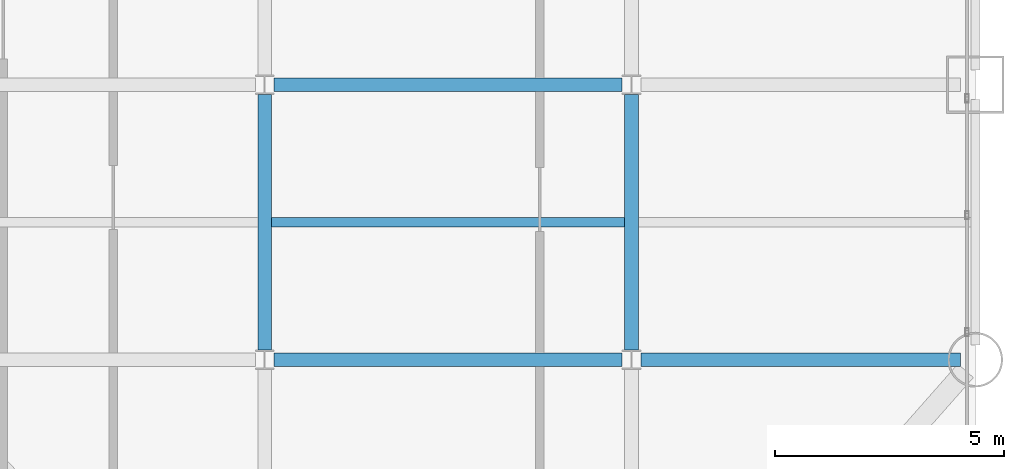
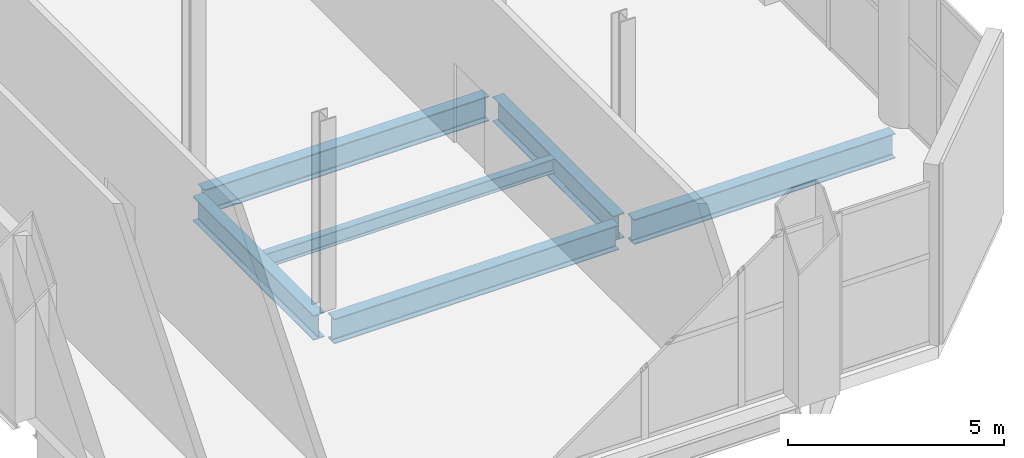
# One storey, part 9 of 26: 6 beams.
"""IFC4 building model written with IfcOpenShell, lengths in metres."""

from ifc_helpers import new_model, si_unit, direction, frame, origin, origin_2d, place, context, subcontext, project, spatial, i_section, extrude, material, material_profile, profile_set, type_object, element, save


model = new_model("IFC4")

# Units and contexts
model_context = context("Model", 3, precision=1e-05, world=origin(), true_north=direction((0.0, 1.0)))
body_context = subcontext(model_context, "Body", "Model", "MODEL_VIEW")
ifc_project = project(units=[si_unit("LENGTHUNIT", "METRE"), si_unit("AREAUNIT", "SQUARE_METRE"), si_unit("VOLUMEUNIT", "CUBIC_METRE"), si_unit("PLANEANGLEUNIT", "RADIAN"), si_unit("MASSUNIT", "GRAM", prefix="KILO")], contexts=[model_context])

# Site, building, storey
site_placement = place(None, origin())
site = spatial("IfcSite", under=ifc_project, at=site_placement, CompositionType="ELEMENT")
building_placement = place(site_placement, origin())
building = spatial("IfcBuilding", under=site, at=building_placement, Name="Qianrong Seaharbour Tower", CompositionType="ELEMENT")
storey_placement = place(building_placement, frame((0.0, 0.0, 108.199951171875)))
storey = spatial("IfcBuildingStorey", under=building, at=storey_placement, Name="L26", CompositionType="ELEMENT", Elevation=108.199951171875)

# Beams
ifc_material_1 = material(Name="Structural steel SN490B", Category="steel")
ifc_material_profile_1 = material_profile(ifc_material_1, i_section(OverallWidth=0.300048828125, OverallDepth=0.699951171875, WebThickness=0.012939453125, FlangeThickness=0.02392578125, FilletRadius=0.02587890625, at=origin_2d()), Name="H700x300x13x24")
ifc_profile_set_1 = profile_set([ifc_material_profile_1], Name="Structural steel SN490B")
beam_type_1 = type_object("IfcBeamType", Name="BM-G-700", PredefinedType="BEAM", material=ifc_profile_set_1)
beam_1_placement = place(storey_placement, frame((48.70361328125, 12.5, -0.699951171875), z_axis=(1.0, 0.0, 0.0), x_axis=(0.0, 1.0, 0.0)))
element("IfcBeam", 1, at=beam_1_placement, inside=storey, type_object=beam_type_1, Name="L26 Primary Girder GC G7-G8", PredefinedType="BEAM", context=body_context, shape_type="SweptSolid", body=[
    extrude(i_section(OverallWidth=0.300048828125, OverallDepth=0.699951171875, WebThickness=0.012939453125, FlangeThickness=0.02392578125, FilletRadius=0.02587890625, at=origin_2d()), origin(), (0.0, 0.0, 1.0), 7.5927734375),
])
beam_2_placement = place(storey_placement, frame((56.70361328125, 12.5, -0.699951171875), z_axis=(1.0, 0.0, 0.0), x_axis=(0.0, 1.0, 0.0)))
element("IfcBeam", 2, at=beam_2_placement, inside=storey, type_object=beam_type_1, Name="L26 Primary Girder GC G8-G9", PredefinedType="BEAM", context=body_context, shape_type="SweptSolid", body=[
    extrude(i_section(OverallWidth=0.300048828125, OverallDepth=0.699951171875, WebThickness=0.012939453125, FlangeThickness=0.02392578125, FilletRadius=0.02587890625, at=origin_2d()), origin(), (0.0, 0.0, 1.0), 6.976318359375),
])
beam_3_placement = place(storey_placement, frame((48.70361328125, 18.5, -0.699951171875), z_axis=(1.0, 0.0, 0.0), x_axis=(0.0, 1.0, 0.0)))
element("IfcBeam", 3, at=beam_3_placement, inside=storey, type_object=beam_type_1, Name="L26 Primary Girder GD G7-G8", PredefinedType="BEAM", context=body_context, shape_type="SweptSolid", body=[
    extrude(i_section(OverallWidth=0.300048828125, OverallDepth=0.699951171875, WebThickness=0.012939453125, FlangeThickness=0.02392578125, FilletRadius=0.02587890625, at=origin_2d()), origin(), (0.0, 0.0, 1.0), 7.5927734375),
])
for number, where, z_axis, x_axis, name in (
    (4, (48.5, 12.714111328125, -0.699951171875), (0.0, 1.0, 0.0), (-1.0, 0.0, 0.0), "L26 Primary Girder G7 GC-GD"),
    (5, (56.5, 12.714111328125, -0.699951171875), (0.0, 1.0, 0.0), (-1.0, 0.0, 0.0), "L26 Primary Girder G8 GC-GD"),
):
    element("IfcBeam", number, at=place(storey_placement, frame(where, z_axis=z_axis, x_axis=x_axis)), inside=storey, type_object=beam_type_1, Name=name, PredefinedType="BEAM", context=body_context, shape_type="SweptSolid", body=[
        extrude(i_section(OverallWidth=0.300048828125, OverallDepth=0.699951171875, WebThickness=0.012939453125, FlangeThickness=0.02392578125, FilletRadius=0.02587890625, at=origin_2d()), origin(), (0.0, 0.0, 1.0), 5.57177734375),
    ])
ifc_material_2 = material(Name="Structural steel SN400B", Category="steel")
ifc_material_profile_2 = material_profile(ifc_material_2, i_section(OverallWidth=0.199951171875, OverallDepth=0.39990234375, WebThickness=0.008056640625, FlangeThickness=0.012939453125, FilletRadius=0.01611328125, at=origin_2d()), Name="H400x200x8x13")
ifc_profile_set_2 = profile_set([ifc_material_profile_2], Name="Structural steel SN400B")
beam_type_2 = type_object("IfcBeamType", Name="BM-J-400", PredefinedType="JOIST", material=ifc_profile_set_2)
beam_4_placement = place(storey_placement, frame((48.64990234375, 15.5, -0.550048828125), z_axis=(1.0, 0.0, 0.0), x_axis=(0.0, 1.0, 0.0)))
element("IfcBeam", 6, at=beam_4_placement, inside=storey, type_object=beam_type_2, Name="L26 Composite Floor Joist G7-G8/GC-GD", PredefinedType="JOIST", context=body_context, shape_type="SweptSolid", body=[
    extrude(i_section(OverallWidth=0.199951171875, OverallDepth=0.39990234375, WebThickness=0.008056640625, FlangeThickness=0.012939453125, FilletRadius=0.01611328125, at=origin_2d()), origin(), (0.0, 0.0, 1.0), 7.7001953125),
])

save(model, "model.ifc")
